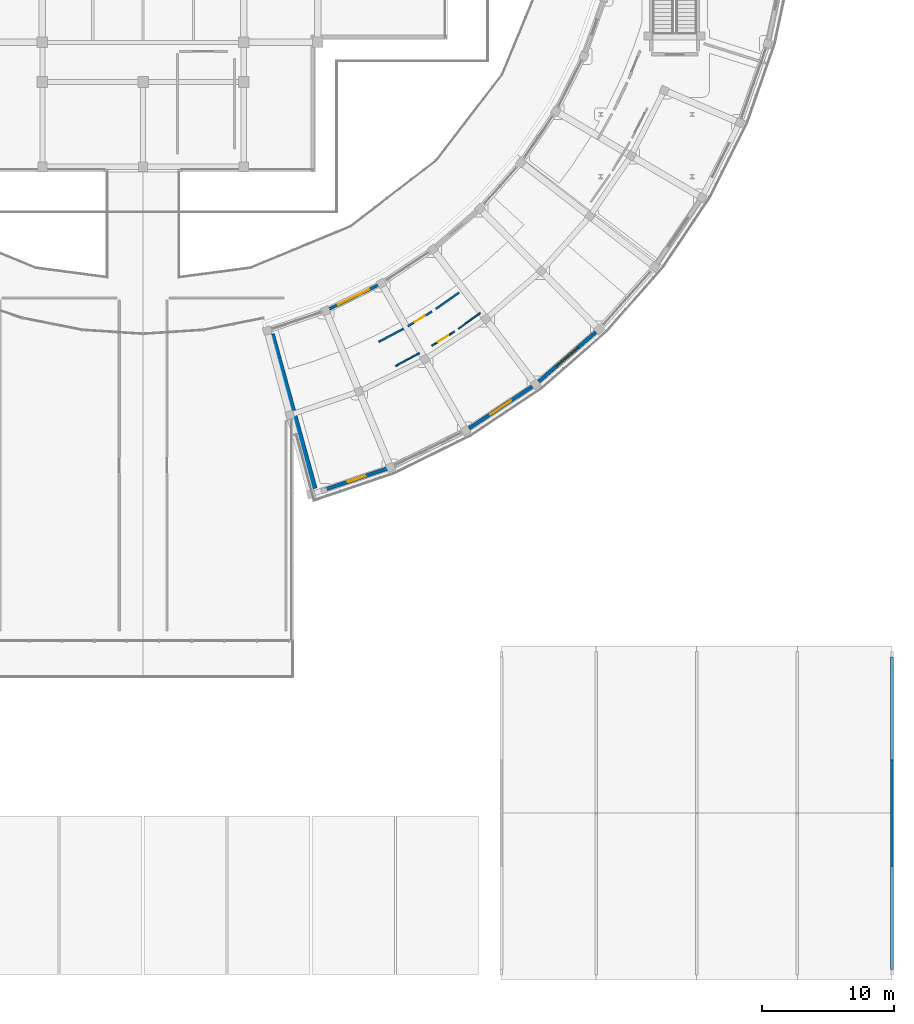
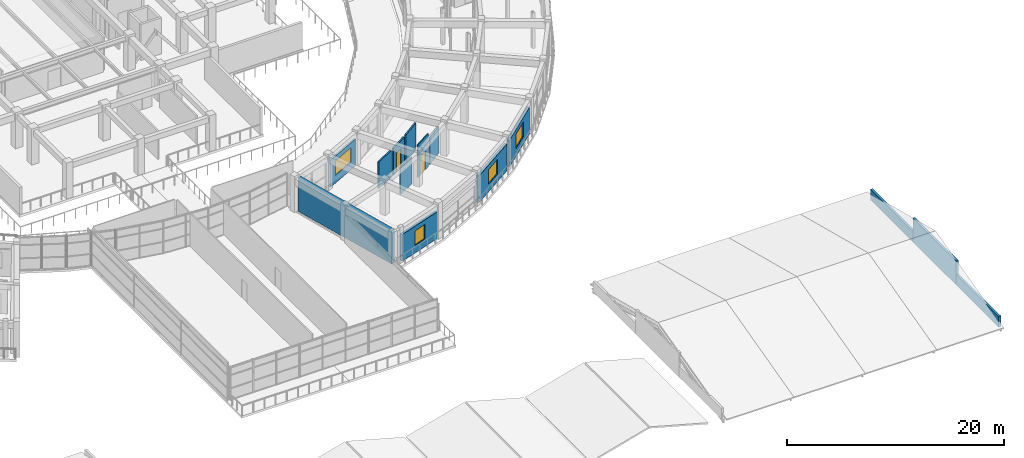
# One storey, part 55 of 83: 14 walls, 4 windows, 2 doors, 6 openings.
"""IFC4 building model written with IfcOpenShell, lengths in metres."""

from ifc_helpers import new_model, si_unit, direction, frame, frame_2d, origin, place, context, subcontext, project, spatial, rectangle, extrude, material, layer, layer_set, type_object, element, fill, save


model = new_model("IFC4")

# Units and contexts
model_context = context("Model", 3, precision=1e-05, world=origin(), true_north=direction((0.0, 1.0)))
body_context = subcontext(model_context, "Body", "Model", "MODEL_VIEW")
ifc_project = project(units=[si_unit("LENGTHUNIT", "METRE"), si_unit("AREAUNIT", "SQUARE_METRE"), si_unit("VOLUMEUNIT", "CUBIC_METRE"), si_unit("PLANEANGLEUNIT", "RADIAN"), si_unit("MASSUNIT", "GRAM", prefix="KILO")], contexts=[model_context])

# Site, building, storey
site_placement = place(None, origin())
site = spatial("IfcSite", under=ifc_project, at=site_placement, CompositionType="ELEMENT")
building_placement = place(site_placement, origin())
building = spatial("IfcBuilding", under=site, at=building_placement, Name="Saryqyr Civic Hall", CompositionType="ELEMENT")
storey_placement = place(building_placement, frame((0.0, 0.0, 9.14990234375)))
storey = spatial("IfcBuildingStorey", under=building, at=storey_placement, Name="L02", CompositionType="ELEMENT", Elevation=9.14990234375)

# Wall, opening, window
ifc_material_1 = material(Name="Precast concrete C40/50", Category="concrete")
ifc_layer_1 = layer(ifc_material_1, 0.219970703125, Name="Precast concrete C40/50")
ifc_layer_set_1 = layer_set([ifc_layer_1], Name="Precast concrete C40/50")
wall_type_1 = type_object("IfcWallType", Name="ENV-WAL-EXT-220", PredefinedType="STANDARD", material=ifc_layer_set_1)
wall_1_placement = place(storey_placement, frame((71.03271484375, 50.647705078125, 0.0), z_axis=(0.0, 0.0, 1.0), x_axis=(0.897962186219, 0.440072621417, 0.0)))
wall_1 = element("IfcWall", 1, at=wall_1_placement, inside=storey, type_object=wall_type_1, Name="Exterior wall V5-EWI-L02-01", PredefinedType="STANDARD", context=body_context, shape_type="SweptSolid", body=[
    extrude(rectangle(XDim=4.15185546875, YDim=0.219970703125, at=frame_2d((2.075927734375, 0.0))), origin(), (0.0, 0.0, 1.0), 3.01513671875),
])
opening_1_placement = place(wall_1_placement, frame((0.77587890625, 0.0, 0.85009765625)))
opening_1 = element("IfcOpeningElement", 2, at=opening_1_placement, cuts=wall_1, Name="Opening W-23", PredefinedType="OPENING", context=body_context, shape_type="SweptSolid", body=[
    extrude(rectangle(XDim=2.60009765625, YDim=1.64990234375, at=frame_2d((1.300048828125, 0.824951171875))), frame((0.0, 0.119873046875, 0.0), z_axis=(0.0, -1.0, 0.0), x_axis=(1.0, 0.0, 0.0)), (0.0, 0.0, 1.0), 0.239990234375),
])
ifc_material_2 = material(Name="Anodised aluminium and triple low-E glass", Category="aluminium")
window_type_1 = type_object("IfcWindowType", Name="ENV-WIN-W23", PartitioningType="SINGLE_PANEL", PredefinedType="WINDOW", material=ifc_material_2)
window_1_placement = place(opening_1_placement, origin())
window_1 = element("IfcWindow", 3, at=window_1_placement, inside=storey, type_object=window_type_1, Name="Courtyard window V5-L02-01", OverallHeight=1.64990234375, OverallWidth=2.60009765625, PartitioningType="SINGLE_PANEL", PredefinedType="WINDOW", context=body_context, shape_type="SweptSolid", body=[
    extrude(rectangle(XDim=2.60009765625, YDim=1.64990234375, at=frame_2d((1.300048828125, 0.824951171875))), frame((0.0, 0.030029296875, 0.0), z_axis=(0.0, -1.0, 0.0), x_axis=(1.0, 0.0, 0.0)), (0.0, 0.0, 1.0), 0.06005859375),
])
fill(opening_1, window_1)

# Walls
ifc_layer_2 = layer(ifc_material_1, 0.239990234375, Name="Precast concrete C40/50")
ifc_layer_set_2 = layer_set([ifc_layer_2], Name="Precast concrete C40/50")
wall_type_2 = type_object("IfcWallType", Name="ENV-WAL-EXT-240", PredefinedType="STANDARD", material=ifc_layer_set_2)
wall_2_placement = place(storey_placement, frame((113.550048828125, 8.60009765625, -0.39990234375), z_axis=(0.0, 0.0, 1.0), x_axis=(0.0, -1.0, 0.0)))
element("IfcWall", 4, at=wall_2_placement, inside=storey, type_object=wall_type_2, Name="Boulevard gatehouse gable wall E-E1", PredefinedType="STANDARD", context=body_context, shape_type="SweptSolid", body=[
    extrude(rectangle(XDim=7.800048828125, YDim=0.239990234375, at=frame_2d((3.89990234375, 0.0))), origin(), (0.0, 0.0, 1.0), 1.199951171875),
])
wall_3_placement = place(storey_placement, frame((113.550048828125, 16.60009765625, -0.39990234375), z_axis=(0.0, 0.0, 1.0), x_axis=(0.0, -1.0, 0.0)))
element("IfcWall", 5, at=wall_3_placement, inside=storey, type_object=wall_type_2, Name="Boulevard gatehouse gable wall E-E2", PredefinedType="STANDARD", context=body_context, shape_type="SweptSolid", body=[
    extrude(rectangle(XDim=8.0, YDim=0.239990234375, at=frame_2d((4.0, 0.0))), origin(), (0.0, 0.0, 1.0), 2.699951171875),
])
wall_4_placement = place(storey_placement, frame((113.550048828125, 24.39990234375, -0.39990234375), z_axis=(0.0, 0.0, 1.0), x_axis=(0.0, -1.0, 0.0)))
element("IfcWall", 6, at=wall_4_placement, inside=storey, type_object=wall_type_2, Name="Boulevard gatehouse gable wall E-E3", PredefinedType="STANDARD", context=body_context, shape_type="SweptSolid", body=[
    extrude(rectangle(XDim=7.7998046875, YDim=0.239990234375, at=frame_2d((3.89990234375, 0.0))), origin(), (0.0, 0.0, 1.0), 1.199951171875),
])

# Wall, opening, window
ifc_layer_3 = layer(ifc_material_1, 0.27001953125, Name="Precast concrete C40/50")
ifc_layer_set_3 = layer_set([ifc_layer_3], Name="Precast concrete C40/50")
wall_type_3 = type_object("IfcWallType", Name="ENV-WAL-EXT-270", PredefinedType="STANDARD", material=ifc_layer_set_3)
wall_5_placement = place(storey_placement, frame((75.44140625, 38.619384765625, 0.0), z_axis=(0.0, 0.0, 1.0), x_axis=(-0.947186506556, -0.320683210969, 0.0)))
wall_5 = element("IfcWall", 7, at=wall_5_placement, inside=storey, type_object=wall_type_3, Name="Exterior wall V5-EWO-L02-00", PredefinedType="STANDARD", context=body_context, shape_type="SweptSolid", body=[
    extrude(rectangle(XDim=4.87841796875, YDim=0.27001953125, at=frame_2d((2.439208984375, 0.0))), origin(), (0.0, 0.0, 1.0), 3.01513671875),
])
opening_2_placement = place(wall_5_placement, frame((1.739013671875, 0.0, 0.85009765625)))
opening_2 = element("IfcOpeningElement", 8, at=opening_2_placement, cuts=wall_5, Name="Opening W-18", PredefinedType="OPENING", context=body_context, shape_type="SweptSolid", body=[
    extrude(rectangle(XDim=1.39990234375, YDim=1.64990234375, at=frame_2d((0.699951171875, 0.824951171875))), frame((0.0, 0.14501953125, 0.0), z_axis=(0.0, -1.0, 0.0), x_axis=(1.0, 0.0, 0.0)), (0.0, 0.0, 1.0), 0.2900390625),
])
window_type_2 = type_object("IfcWindowType", Name="ENV-WIN-W18", PartitioningType="SINGLE_PANEL", PredefinedType="WINDOW", material=ifc_material_2)
window_2_placement = place(opening_2_placement, origin())
window_2 = element("IfcWindow", 9, at=window_2_placement, inside=storey, type_object=window_type_2, Name="Exterior ribbon window V5-L02-00", OverallHeight=1.64990234375, OverallWidth=1.39990234375, PartitioningType="SINGLE_PANEL", PredefinedType="WINDOW", context=body_context, shape_type="SweptSolid", body=[
    extrude(rectangle(XDim=1.39990234375, YDim=1.64990234375, at=frame_2d((0.699951171875, 0.824951171875))), frame((0.0, 0.030029296875, 0.0), z_axis=(0.0, -1.0, 0.0), x_axis=(1.0, 0.0, 0.0)), (0.0, 0.0, 1.0), 0.06005859375),
])
fill(opening_2, window_2)

wall_6_placement = place(storey_placement, frame((86.400634765625, 44.822265625, 0.0), z_axis=(0.0, 0.0, 1.0), x_axis=(-0.833772811773, -0.552107687276, 0.0)))
wall_6 = element("IfcWall", 10, at=wall_6_placement, inside=storey, type_object=wall_type_3, Name="Exterior wall V5-EWO-L02-02", PredefinedType="STANDARD", context=body_context, shape_type="SweptSolid", body=[
    extrude(rectangle(XDim=5.764892578125, YDim=0.27001953125, at=frame_2d((2.88232421875, 0.0))), origin(), (0.0, 0.0, 1.0), 3.01513671875),
])
opening_3_placement = place(wall_6_placement, frame((1.95703125, 0.0, 0.85009765625)))
opening_3 = element("IfcOpeningElement", 11, at=opening_3_placement, cuts=wall_6, Name="Opening W-20", PredefinedType="OPENING", context=body_context, shape_type="SweptSolid", body=[
    extrude(rectangle(XDim=1.85009765625, YDim=1.64990234375, at=frame_2d((0.925048828125, 0.824951171875))), frame((0.0, 0.14501953125, 0.0), z_axis=(0.0, -1.0, 0.0), x_axis=(1.0, 0.0, 0.0)), (0.0, 0.0, 1.0), 0.2900390625),
])
window_type_3 = type_object("IfcWindowType", Name="ENV-WIN-W20", PartitioningType="SINGLE_PANEL", PredefinedType="WINDOW", material=ifc_material_2)
window_3_placement = place(opening_3_placement, origin())
window_3 = element("IfcWindow", 12, at=window_3_placement, inside=storey, type_object=window_type_3, Name="Exterior ribbon window V5-L02-02", OverallHeight=1.64990234375, OverallWidth=1.85009765625, PartitioningType="SINGLE_PANEL", PredefinedType="WINDOW", context=body_context, shape_type="SweptSolid", body=[
    extrude(rectangle(XDim=1.85009765625, YDim=1.64990234375, at=frame_2d((0.925048828125, 0.824951171875))), frame((0.0, 0.030029296875, 0.0), z_axis=(0.0, -1.0, 0.0), x_axis=(1.0, 0.0, 0.0)), (0.0, 0.0, 1.0), 0.06005859375),
])
fill(opening_3, window_3)

wall_7_placement = place(storey_placement, frame((91.1826171875, 48.9189453125, 0.0), z_axis=(0.0, 0.0, 1.0), x_axis=(-0.755648143479, -0.654977773101, 0.0)))
wall_7 = element("IfcWall", 13, at=wall_7_placement, inside=storey, type_object=wall_type_3, Name="Exterior wall V5-EWO-L02-03", PredefinedType="STANDARD", context=body_context, shape_type="SweptSolid", body=[
    extrude(rectangle(XDim=5.706298828125, YDim=0.27001953125, at=frame_2d((2.85302734375, 0.0))), origin(), (0.0, 0.0, 1.0), 3.01513671875),
])
opening_4_placement = place(wall_7_placement, frame((1.802978515625, 0.0, 0.85009765625)))
opening_4 = element("IfcOpeningElement", 14, at=opening_4_placement, cuts=wall_7, Name="Opening W-21", PredefinedType="OPENING", context=body_context, shape_type="SweptSolid", body=[
    extrude(rectangle(XDim=2.10009765625, YDim=1.64990234375, at=frame_2d((1.050048828125, 0.824951171875))), frame((0.0, 0.14501953125, 0.0), z_axis=(0.0, -1.0, 0.0), x_axis=(1.0, 0.0, 0.0)), (0.0, 0.0, 1.0), 0.2900390625),
])
window_type_4 = type_object("IfcWindowType", Name="ENV-WIN-W21", PartitioningType="SINGLE_PANEL", PredefinedType="WINDOW", material=ifc_material_2)
window_4_placement = place(opening_4_placement, origin())
window_4 = element("IfcWindow", 15, at=window_4_placement, inside=storey, type_object=window_type_4, Name="Exterior ribbon window V5-L02-03", OverallHeight=1.64990234375, OverallWidth=2.10009765625, PartitioningType="SINGLE_PANEL", PredefinedType="WINDOW", context=body_context, shape_type="SweptSolid", body=[
    extrude(rectangle(XDim=2.10009765625, YDim=1.64990234375, at=frame_2d((1.050048828125, 0.824951171875))), frame((0.0, 0.030029296875, 0.0), z_axis=(0.0, -1.0, 0.0), x_axis=(1.0, 0.0, 0.0)), (0.0, 0.0, 1.0), 0.06005859375),
])
fill(opening_4, window_4)

# Wall
ifc_material_3 = material(Name="Concrete C40/50", Category="concrete")
ifc_layer_4 = layer(ifc_material_3, 0.3798828125, Name="Concrete C40/50")
ifc_layer_set_4 = layer_set([ifc_layer_4], Name="Concrete C40/50")
wall_type_4 = type_object("IfcWallType", Name="ENV-WAL-PTY-380", PredefinedType="SHEAR", material=ifc_layer_set_4)
wall_8_placement = place(storey_placement, frame((69.960205078125, 37.108154296875, 0.0), z_axis=(0.0, 0.0, 1.0), x_axis=(-0.266399016259, 0.963862834711, 0.0)))
element("IfcWall", 16, at=wall_8_placement, inside=storey, type_object=wall_type_4, Name="Exterior wall V5-JNTW-A-L02", PredefinedType="SHEAR", context=body_context, shape_type="SweptSolid", body=[
    extrude(rectangle(XDim=12.099853515625, YDim=0.3798828125, at=frame_2d((6.0498046875, 0.0))), origin(), (0.0, 0.0, 1.0), 3.75),
])

# Wall, opening, door
ifc_material_4 = material(Name="Moisture-resistant gypsum partition", Category="gypsum")
ifc_layer_5 = layer(ifc_material_4, 0.110107421875, Name="Moisture-resistant gypsum partition")
ifc_layer_set_5 = layer_set([ifc_layer_5], Name="Moisture-resistant gypsum partition")
wall_type_5 = type_object("IfcWallType", Name="INT-WAL-PRT-110", PredefinedType="PARTITIONING", material=ifc_layer_set_5)
wall_9_placement = place(storey_placement, frame((78.80419921875, 47.88623046875, 0.0), z_axis=(0.0, 0.0, 1.0), x_axis=(0.845703473624, 0.533653103336, 0.0)))
wall_9 = element("IfcWall", 17, at=wall_9_placement, inside=storey, type_object=wall_type_5, Name="Interior partition PRT-SP-V5-L02-R01-W1", PredefinedType="PARTITIONING", context=body_context, shape_type="SweptSolid", body=[
    extrude(rectangle(XDim=2.027099609375, YDim=0.110107421875, at=frame_2d((1.013671875, 0.0))), origin(), (0.0, 0.0, 1.0), 3.7001953125),
])
opening_5_placement = place(wall_9_placement, frame((0.56298828125, 0.0, 0.0)))
opening_5 = element("IfcOpeningElement", 18, at=opening_5_placement, cuts=wall_9, Name="Opening D-01", PredefinedType="OPENING", context=body_context, shape_type="SweptSolid", body=[
    extrude(rectangle(XDim=0.89990234375, YDim=2.10009765625, at=frame_2d((0.449951171875, 1.050048828125))), frame((0.0, 0.06494140625, 0.0), z_axis=(0.0, -1.0, 0.0), x_axis=(1.0, 0.0, 0.0)), (0.0, 0.0, 1.0), 0.130126953125),
])
ifc_material_5 = material(Name="Acoustic solid-core oak veneer", Category="wood")
door_type = type_object("IfcDoorType", Name="INT-DR-D-01", OperationType="NOTDEFINED", PredefinedType="DOOR", material=ifc_material_5)
door_1_placement = place(opening_5_placement, origin())
door_1 = element("IfcDoor", 19, at=door_1_placement, inside=storey, type_object=door_type, Name="Interior door Education, Youth & Culture Department", OperationType="SINGLE_SWING_RIGHT", OverallHeight=2.10009765625, OverallWidth=0.89990234375, PredefinedType="DOOR", context=body_context, shape_type="SweptSolid", body=[
    extrude(rectangle(XDim=0.89990234375, YDim=2.10009765625, at=frame_2d((0.449951171875, 1.050048828125))), frame((0.0, 0.02490234375, 0.0), z_axis=(0.0, -1.0, 0.0), x_axis=(1.0, 0.0, 0.0)), (0.0, 0.0, 1.0), 0.050048828125),
])
fill(opening_5, door_1)

# Walls
wall_10_placement = place(storey_placement, frame((80.81640625, 49.169677734375, 0.0), z_axis=(0.0, 0.0, 1.0), x_axis=(0.809126527287, 0.587634463625, 0.0)))
element("IfcWall", 20, at=wall_10_placement, inside=storey, type_object=wall_type_5, Name="Interior partition PRT-SP-V5-L02-R01-W2", PredefinedType="PARTITIONING", context=body_context, shape_type="SweptSolid", body=[
    extrude(rectangle(XDim=2.027099609375, YDim=0.110107421875, at=frame_2d((1.013671875, 0.0))), origin(), (0.0, 0.0, 1.0), 3.01513671875),
])
wall_11_placement = place(storey_placement, frame((76.074462890625, 46.363037109375, 0.0), z_axis=(0.0, 0.0, 1.0), x_axis=(0.878787047772, 0.477214128738, 0.0)))
element("IfcWall", 21, at=wall_11_placement, inside=storey, type_object=wall_type_5, Name="Interior partition PRT-SP-V5-L02-R01-W3", PredefinedType="PARTITIONING", context=body_context, shape_type="SweptSolid", body=[
    extrude(rectangle(XDim=2.02685546875, YDim=0.110107421875, at=frame_2d((1.013427734375, 0.0))), origin(), (0.0, 0.0, 1.0), 3.01513671875),
])

# Wall, opening, door
ifc_material_6 = material(Name="Acoustic double-stud gypsum board", Category="gypsum")
ifc_layer_6 = layer(ifc_material_6, 0.155029296875, Name="Acoustic double-stud gypsum board")
ifc_layer_set_6 = layer_set([ifc_layer_6], Name="Acoustic double-stud gypsum board")
wall_type_6 = type_object("IfcWallType", Name="INT-WAL-PRT-155", PredefinedType="PARTITIONING", material=ifc_layer_set_6)
wall_12_placement = place(storey_placement, frame((78.810791015625, 50.4755859375, 0.0), z_axis=(0.0, 0.0, 1.0), x_axis=(-0.852550406078, -0.522645008678, 0.0)))
wall_12 = element("IfcWall", 22, at=wall_12_placement, inside=storey, type_object=wall_type_6, Name="Interior partition PRT-SP-V5-L02-R04-W1", PredefinedType="PARTITIONING", context=body_context, shape_type="SweptSolid", body=[
    extrude(rectangle(XDim=2.139404296875, YDim=0.155029296875, at=frame_2d((1.06982421875, 0.0))), origin(), (0.0, 0.0, 1.0), 3.01513671875),
])
opening_6_placement = place(wall_12_placement, frame((0.6201171875, 0.0, 0.0)))
opening_6 = element("IfcOpeningElement", 23, at=opening_6_placement, cuts=wall_12, Name="Opening D-01", PredefinedType="OPENING", context=body_context, shape_type="SweptSolid", body=[
    extrude(rectangle(XDim=0.89990234375, YDim=2.10009765625, at=frame_2d((0.449951171875, 1.050048828125))), frame((0.0, 0.08740234375, 0.0), z_axis=(0.0, -1.0, 0.0), x_axis=(1.0, 0.0, 0.0)), (0.0, 0.0, 1.0), 0.175048828125),
])
door_2_placement = place(opening_6_placement, origin())
door_2 = element("IfcDoor", 24, at=door_2_placement, inside=storey, type_object=door_type, Name="Interior door Standing Committee Room 4 (Social Policy)", OperationType="SINGLE_SWING_RIGHT", OverallHeight=2.10009765625, OverallWidth=0.89990234375, PredefinedType="DOOR", context=body_context, shape_type="SweptSolid", body=[
    extrude(rectangle(XDim=0.89990234375, YDim=2.10009765625, at=frame_2d((0.449951171875, 1.050048828125))), frame((0.0, 0.02490234375, 0.0), z_axis=(0.0, -1.0, 0.0), x_axis=(1.0, 0.0, 0.0)), (0.0, 0.0, 1.0), 0.050048828125),
])
fill(opening_6, door_2)

# Walls
wall_13_placement = place(storey_placement, frame((80.862060546875, 51.903564453125, 0.0), z_axis=(0.0, 0.0, 1.0), x_axis=(-0.818158327798, -0.574993000527, 0.0)))
element("IfcWall", 25, at=wall_13_placement, inside=storey, type_object=wall_type_6, Name="Interior partition PRT-SP-V5-L02-R04-W2", PredefinedType="PARTITIONING", context=body_context, shape_type="SweptSolid", body=[
    extrude(rectangle(XDim=2.1396484375, YDim=0.155029296875, at=frame_2d((1.06982421875, 0.0))), origin(), (0.0, 0.0, 1.0), 3.01513671875),
])
wall_14_placement = place(storey_placement, frame((76.67431640625, 49.178955078125, 0.0), z_axis=(0.0, 0.0, 1.0), x_axis=(-0.883493580946, -0.468443264897, 0.0)))
element("IfcWall", 26, at=wall_14_placement, inside=storey, type_object=wall_type_6, Name="Interior partition PRT-SP-V5-L02-R04-W3", PredefinedType="PARTITIONING", context=body_context, shape_type="SweptSolid", body=[
    extrude(rectangle(XDim=2.139892578125, YDim=0.155029296875, at=frame_2d((1.06982421875, 0.0))), origin(), (0.0, 0.0, 1.0), 3.01513671875),
])

save(model, "model.ifc")
